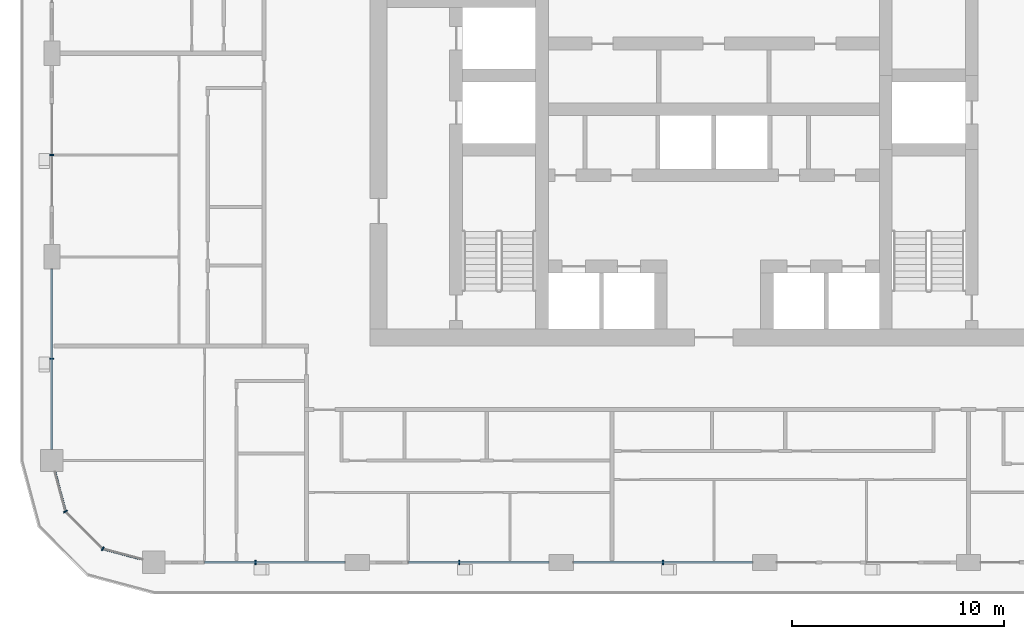
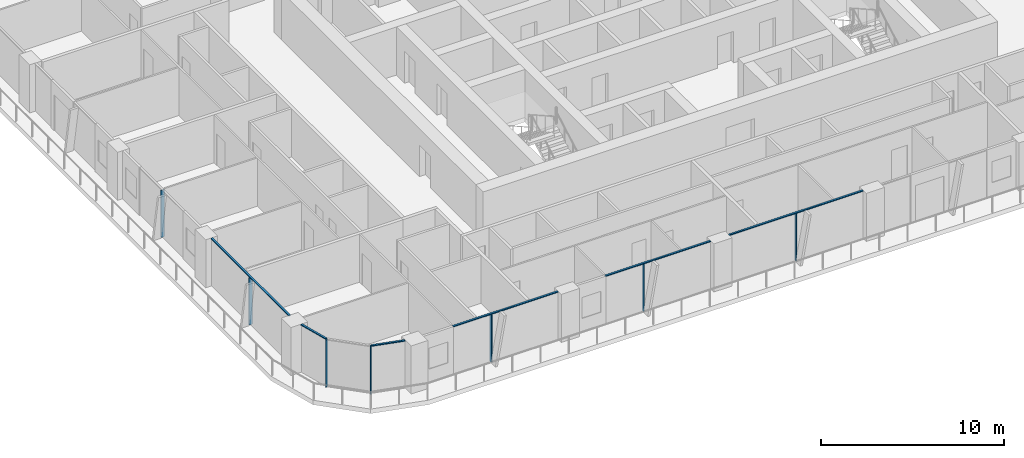
# One storey, part 2 of 22: 13 members, 6 elements without a shape of their own.
"""IFC4 building model written with IfcOpenShell, lengths in metres."""

from ifc_helpers import new_model, si_unit, direction, frame, origin, origin_2d, place, context, subcontext, project, spatial, rectangle, extrude, material, layer, layer_set, material_profile, profile_set, type_object, element, aggregate, save


model = new_model("IFC4")

# Units and contexts
model_context = context("Model", 3, precision=1e-05, world=origin(), true_north=direction((0.0, 1.0)))
body_context = subcontext(model_context, "Body", "Model", "MODEL_VIEW")
ifc_project = project(units=[si_unit("LENGTHUNIT", "METRE"), si_unit("AREAUNIT", "SQUARE_METRE"), si_unit("VOLUMEUNIT", "CUBIC_METRE"), si_unit("PLANEANGLEUNIT", "RADIAN"), si_unit("MASSUNIT", "GRAM", prefix="KILO")], contexts=[model_context])

# Site, building, storey
site_placement = place(None, origin())
site = spatial("IfcSite", under=ifc_project, at=site_placement, CompositionType="ELEMENT")
building_placement = place(site_placement, origin())
building = spatial("IfcBuilding", under=site, at=building_placement, Name="Madar Terraces", CompositionType="ELEMENT")
storey_placement = place(building_placement, frame((0.0, 0.0, 122.60009765625)))
storey = spatial("IfcBuildingStorey", under=building, at=storey_placement, Name="L31", CompositionType="ELEMENT", Elevation=122.60009765625)

# Curtain wall, member
ifc_material_1 = material(Name="Glass, ceramic frit dark grey, with black aluminium frame", Category="aluminium")
ifc_layer = layer(ifc_material_1, 0.199951171875)
ifc_layer_set = layer_set([ifc_layer], Name="Facade curtain wall, fritted glass")
curtain_wall_type = type_object("IfcCurtainWallType", Name="Facade curtain wall, fritted glass", PredefinedType="NOTDEFINED", material=ifc_layer_set)
curtain_wall_1_placement = place(storey_placement, origin())
curtain_wall_1 = element("IfcCurtainWall", 1, at=curtain_wall_1_placement, inside=storey, type_object=curtain_wall_type, Name="Outer skin curtain wall south bay 1", PredefinedType="NOTDEFINED")
ifc_material_2 = material(Name="Aluminium, black anodised", Category="aluminium")
ifc_material_profile_1 = material_profile(ifc_material_2, rectangle(XDim=0.199951171875, YDim=0.06005859375, at=origin_2d()), Name="Facade mullion 60x200")
ifc_profile_set_1 = profile_set([ifc_material_profile_1], Name="Aluminium, black anodised")
member_type_1 = type_object("IfcMemberType", Name="Facade mullion 60x200", PredefinedType="MULLION", material=ifc_profile_set_1)
member_1_placement = place(storey_placement, frame((9.60009765625, 4.800048828125, 0.0), z_axis=(0.0, 0.0, 1.0), x_axis=(0.0, 1.0, 0.0)))
member_1 = element("IfcMember", 2, at=member_1_placement, type_object=member_type_1, Name="Mullion 1", PredefinedType="MULLION", context=body_context, shape_type="SweptSolid", body=[
    extrude(rectangle(XDim=0.199951171875, YDim=0.06005859375, at=origin_2d()), origin(), (0.0, 0.0, 1.0), 3.139892578125),
])

curtain_wall_2_placement = place(storey_placement, origin())
curtain_wall_2 = element("IfcCurtainWall", 3, at=curtain_wall_2_placement, inside=storey, type_object=curtain_wall_type, Name="Outer skin curtain wall south bay 2", PredefinedType="NOTDEFINED")
member_2_placement = place(storey_placement, frame((19.199951171875, 4.800048828125, 0.0), z_axis=(0.0, 0.0, 1.0), x_axis=(0.0, 1.0, 0.0)))
member_2 = element("IfcMember", 4, at=member_2_placement, type_object=member_type_1, Name="Mullion 1", PredefinedType="MULLION", context=body_context, shape_type="SweptSolid", body=[
    extrude(rectangle(XDim=0.199951171875, YDim=0.06005859375, at=origin_2d()), origin(), (0.0, 0.0, 1.0), 3.139892578125),
])

curtain_wall_3_placement = place(storey_placement, origin())
curtain_wall_3 = element("IfcCurtainWall", 5, at=curtain_wall_3_placement, inside=storey, type_object=curtain_wall_type, Name="Outer skin curtain wall south bay 3", PredefinedType="NOTDEFINED")
member_3_placement = place(storey_placement, frame((28.800048828125, 4.800048828125, 0.0), z_axis=(0.0, 0.0, 1.0), x_axis=(0.0, 1.0, 0.0)))
member_3 = element("IfcMember", 6, at=member_3_placement, type_object=member_type_1, Name="Mullion 1", PredefinedType="MULLION", context=body_context, shape_type="SweptSolid", body=[
    extrude(rectangle(XDim=0.199951171875, YDim=0.06005859375, at=origin_2d()), origin(), (0.0, 0.0, 1.0), 3.139892578125),
])

curtain_wall_4_placement = place(storey_placement, origin())
curtain_wall_4 = element("IfcCurtainWall", 7, at=curtain_wall_4_placement, inside=storey, type_object=curtain_wall_type, Name="Outer skin curtain wall west bay 3", PredefinedType="NOTDEFINED")
member_4_placement = place(storey_placement, frame((0.0, 24.0, 0.0), z_axis=(0.0, 0.0, 1.0), x_axis=(1.0, 0.0, 0.0)))
member_4 = element("IfcMember", 8, at=member_4_placement, type_object=member_type_1, Name="Mullion 1", PredefinedType="MULLION", context=body_context, shape_type="SweptSolid", body=[
    extrude(rectangle(XDim=0.199951171875, YDim=0.06005859375, at=origin_2d()), origin(), (0.0, 0.0, 1.0), 3.139892578125),
])
aggregate(curtain_wall_4, [member_4])

curtain_wall_5_placement = place(storey_placement, origin())
curtain_wall_5 = element("IfcCurtainWall", 9, at=curtain_wall_5_placement, inside=storey, type_object=curtain_wall_type, Name="Outer skin curtain wall west bay 4", PredefinedType="NOTDEFINED")
member_5_placement = place(storey_placement, frame((0.0, 14.39990234375, 0.0), z_axis=(0.0, 0.0, 1.0), x_axis=(1.0, 0.0, 0.0)))
member_5 = element("IfcMember", 10, at=member_5_placement, type_object=member_type_1, Name="Mullion 1", PredefinedType="MULLION", context=body_context, shape_type="SweptSolid", body=[
    extrude(rectangle(XDim=0.199951171875, YDim=0.06005859375, at=origin_2d()), origin(), (0.0, 0.0, 1.0), 3.139892578125),
])

# Curtain wall, members
curtain_wall_6_placement = place(storey_placement, origin())
curtain_wall_6 = element("IfcCurtainWall", 11, at=curtain_wall_6_placement, inside=storey, type_object=curtain_wall_type, Name="Outer skin curtain wall south-west corner", PredefinedType="NOTDEFINED")
member_6_placement = place(storey_placement, frame((0.64306640625, 7.199951171875, 0.0), z_axis=(0.0, 0.0, 1.0), x_axis=(0.866025409797, 0.499999989586, 0.0)))
member_6 = element("IfcMember", 12, at=member_6_placement, type_object=member_type_1, Name="Mullion 1", PredefinedType="MULLION", context=body_context, shape_type="SweptSolid", body=[
    extrude(rectangle(XDim=0.199951171875, YDim=0.06005859375, at=origin_2d()), origin(), (0.0, 0.0, 1.0), 3.139892578125),
])
member_7_placement = place(storey_placement, frame((2.39990234375, 5.443115234375, 0.0), z_axis=(0.0, 0.0, 1.0), x_axis=(0.499999989586, 0.866025409797, 0.0)))
member_7 = element("IfcMember", 13, at=member_7_placement, type_object=member_type_1, Name="Mullion 2", PredefinedType="MULLION", context=body_context, shape_type="SweptSolid", body=[
    extrude(rectangle(XDim=0.199951171875, YDim=0.06005859375, at=origin_2d()), origin(), (0.0, 0.0, 1.0), 3.139892578125),
])

# Member
ifc_material_3 = material(Name="Aluminium, black anodised", Category="aluminium")
ifc_material_profile_2 = material_profile(ifc_material_3, rectangle(XDim=0.1201171875, YDim=0.06005859375, at=origin_2d()), Name="Facade transom 60x120")
ifc_profile_set_2 = profile_set([ifc_material_profile_2], Name="Aluminium, black anodised")
member_type_2 = type_object("IfcMemberType", Name="Facade transom 60x120", PredefinedType="USERDEFINED", material=ifc_profile_set_2)
member_8_placement = place(storey_placement, frame((7.199951171875, 4.800048828125, 3.169921875), z_axis=(1.0, 0.0, 0.0), x_axis=(0.0, 1.0, 0.0)))
member_8 = element("IfcMember", 14, at=member_8_placement, type_object=member_type_2, Name="Transom 1", ObjectType="TRANSOM", PredefinedType="USERDEFINED", context=body_context, shape_type="SweptSolid", body=[
    extrude(rectangle(XDim=0.1201171875, YDim=0.06005859375, at=origin_2d()), origin(), (0.0, 0.0, 1.0), 6.625),
])

aggregate(curtain_wall_1, [member_1, member_8])

member_9_placement = place(storey_placement, frame((16.800048828125, 4.800048828125, 3.169921875), z_axis=(1.0, 0.0, 0.0), x_axis=(0.0, 1.0, 0.0)))
member_9 = element("IfcMember", 15, at=member_9_placement, type_object=member_type_2, Name="Transom 1", ObjectType="TRANSOM", PredefinedType="USERDEFINED", context=body_context, shape_type="SweptSolid", body=[
    extrude(rectangle(XDim=0.1201171875, YDim=0.06005859375, at=origin_2d()), origin(), (0.0, 0.0, 1.0), 6.625),
])

aggregate(curtain_wall_2, [member_2, member_9])

member_10_placement = place(storey_placement, frame((24.574951171875, 4.800048828125, 3.169921875), z_axis=(1.0, 0.0, 0.0), x_axis=(0.0, 1.0, 0.0)))
member_10 = element("IfcMember", 16, at=member_10_placement, type_object=member_type_2, Name="Transom 1", ObjectType="TRANSOM", PredefinedType="USERDEFINED", context=body_context, shape_type="SweptSolid", body=[
    extrude(rectangle(XDim=0.1201171875, YDim=0.06005859375, at=origin_2d()), origin(), (0.0, 0.0, 1.0), 8.449951171875),
])

aggregate(curtain_wall_3, [member_3, member_10])

member_11_placement = place(storey_placement, frame((0.0, 18.625, 3.169921875), z_axis=(0.0, -1.0, 0.0), x_axis=(1.0, 0.0, 0.0)))
member_11 = element("IfcMember", 17, at=member_11_placement, type_object=member_type_2, Name="Transom 1", ObjectType="TRANSOM", PredefinedType="USERDEFINED", context=body_context, shape_type="SweptSolid", body=[
    extrude(rectangle(XDim=0.1201171875, YDim=0.06005859375, at=origin_2d()), origin(), (0.0, 0.0, 1.0), 8.5),
])

aggregate(curtain_wall_5, [member_5, member_11])

member_12_placement = place(storey_placement, frame((0.140625, 9.074951171875, 3.169921875), z_axis=(0.258823354654, -0.965924671538, 0.0), x_axis=(0.965924671538, 0.258823354654, 0.0)))
member_12 = element("IfcMember", 18, at=member_12_placement, type_object=member_type_2, Name="Transom 1", ObjectType="TRANSOM", PredefinedType="USERDEFINED", context=body_context, shape_type="SweptSolid", body=[
    extrude(rectangle(XDim=0.1201171875, YDim=0.06005859375, at=origin_2d()), origin(), (0.0, 0.0, 1.0), 1.9111328125),
])

member_13_placement = place(storey_placement, frame((2.428955078125, 5.435302734375, 3.169921875), z_axis=(0.965924671538, -0.258823354654, 0.0), x_axis=(0.258823354654, 0.965924671538, 0.0)))
member_13 = element("IfcMember", 19, at=member_13_placement, type_object=member_type_2, Name="Transom 3", ObjectType="TRANSOM", PredefinedType="USERDEFINED", context=body_context, shape_type="SweptSolid", body=[
    extrude(rectangle(XDim=0.1201171875, YDim=0.06005859375, at=origin_2d()), origin(), (0.0, 0.0, 1.0), 1.9111328125),
])

aggregate(curtain_wall_6, [member_6, member_12, member_7, member_13])

save(model, "model.ifc")
